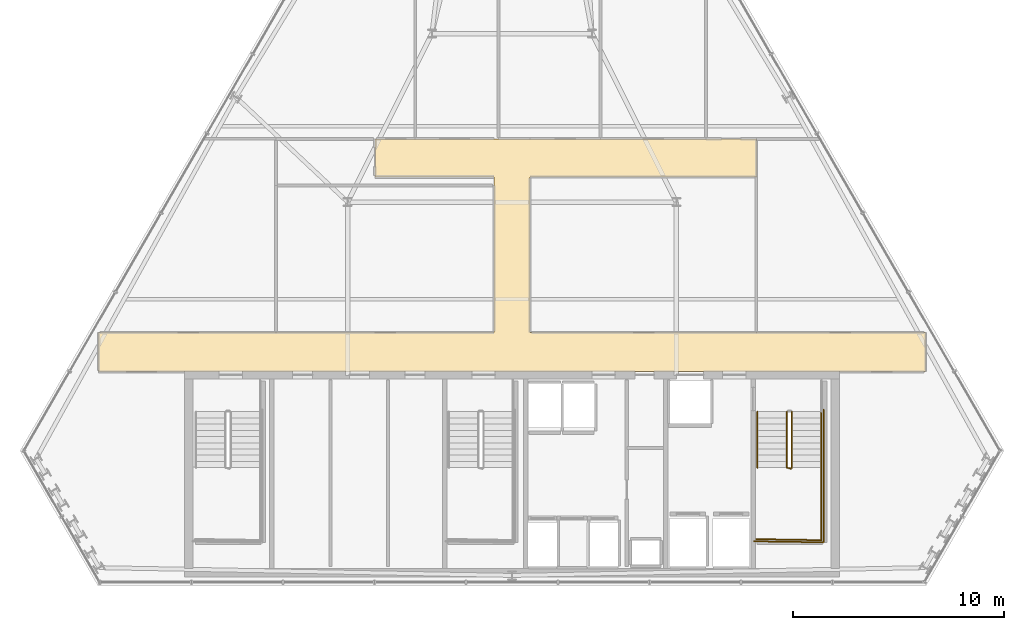
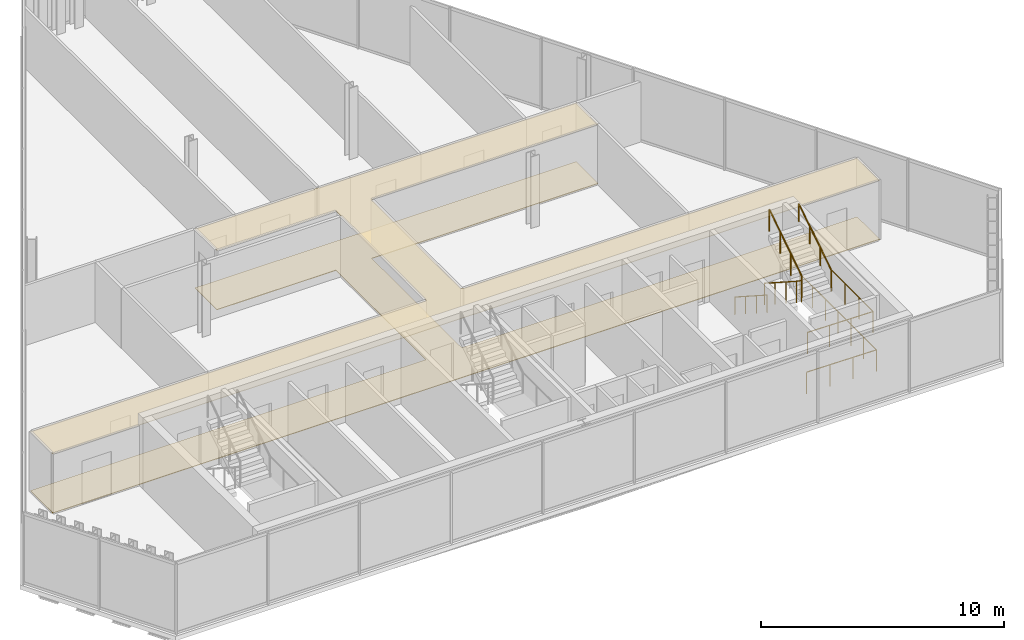
# One storey, part 28 of 29: 6 railings, 2 coverings.
"""IFC4 building model written with IfcOpenShell, lengths in metres."""

from ifc_helpers import new_model, si_unit, direction, frame, origin, origin_2d, place, context, subcontext, project, spatial, polyline, circle, outline, extrude, material, layer, layer_set, type_object, element, save


model = new_model("IFC4")

# Units and contexts
model_context = context("Model", 3, precision=1e-05, world=origin(), true_north=direction((0.0, 1.0)))
body_context = subcontext(model_context, "Body", "Model", "MODEL_VIEW")
ifc_project = project(units=[si_unit("LENGTHUNIT", "METRE"), si_unit("AREAUNIT", "SQUARE_METRE"), si_unit("VOLUMEUNIT", "CUBIC_METRE"), si_unit("PLANEANGLEUNIT", "RADIAN"), si_unit("MASSUNIT", "GRAM", prefix="KILO")], contexts=[model_context])

# Site, building, storey
site_placement = place(None, origin())
site = spatial("IfcSite", under=ifc_project, at=site_placement, CompositionType="ELEMENT")
building_placement = place(site_placement, origin())
building = spatial("IfcBuilding", under=site, at=building_placement, Name="Ndaravel Arena Tower", CompositionType="ELEMENT")
storey_placement = place(building_placement, frame((0.0, 0.0, 233.199951171875)))
storey = spatial("IfcBuildingStorey", under=building, at=storey_placement, Name="L56", CompositionType="ELEMENT", Elevation=233.199951171875)

# Coverings
ifc_material_1 = material(Name="Acoustic Ceiling Tile", Category="finish")
ifc_layer_1 = layer(ifc_material_1, 0.02490234375)
ifc_layer_set_1 = layer_set([ifc_layer_1], Name="Acoustic Ceiling Tile")
covering_type_1 = type_object("IfcCoveringType", Name="COV-CEIL-AC600", PredefinedType="CEILING", material=ifc_layer_set_1)
covering_1_placement = place(storey_placement, frame((0.0, 0.0, 2.98046875)))
element("IfcCovering", 1, at=covering_1_placement, inside=storey, type_object=covering_type_1, Name="L56 Corridor Acoustic Ceiling", PredefinedType="CEILING", context=body_context, shape_type="SweptSolid", body=[
    extrude(outline(polyline([(61.6220703125, 17.0), (42.85009765625, 17.0), (42.85009765625, 24.39990234375), (53.60009765625, 24.39990234375), (53.60009765625, 26.199951171875), (42.85009765625, 26.199951171875), (41.14990234375, 26.199951171875), (35.5, 26.199951171875), (35.5, 24.39990234375), (41.14990234375, 24.39990234375), (41.14990234375, 17.0), (22.3779296875, 17.0), (22.3779296875, 15.14990234375), (61.6220703125, 15.14990234375), (61.6220703125, 17.0)])), origin(), (0.0, 0.0, 1.0), 0.025146484375),
])
ifc_material_2 = material(Name="Terrazzo", Category="stone")
ifc_layer_2 = layer(ifc_material_2, 0.030029296875)
ifc_layer_set_2 = layer_set([ifc_layer_2], Name="Terrazzo")
covering_type_2 = type_object("IfcCoveringType", Name="COV-FLOOR-TERRAZZO", PredefinedType="FLOORING", material=ifc_layer_set_2)
covering_2_placement = place(storey_placement, origin())
element("IfcCovering", 2, at=covering_2_placement, inside=storey, type_object=covering_type_2, Name="L56 Corridor Terrazzo Flooring", PredefinedType="FLOORING", context=body_context, shape_type="SweptSolid", body=[
    extrude(outline(polyline([(61.6220703125, 17.0), (42.85009765625, 17.0), (42.85009765625, 24.39990234375), (53.60009765625, 24.39990234375), (53.60009765625, 26.199951171875), (42.85009765625, 26.199951171875), (41.14990234375, 26.199951171875), (35.5, 26.199951171875), (35.5, 24.39990234375), (41.14990234375, 24.39990234375), (41.14990234375, 17.0), (22.3779296875, 17.0), (22.3779296875, 15.14990234375), (61.6220703125, 15.14990234375), (61.6220703125, 17.0)])), origin(), (0.0, 0.0, 1.0), 0.030029296875),
])

# Railings
ifc_material_3 = material(Name="Steel S355", Category="steel")
ifc_layer_3 = layer(ifc_material_3, 0.06005859375)
ifc_layer_set_3 = layer_set([ifc_layer_3], Name="Steel S355")
railing_type_1 = type_object("IfcRailingType", Name="RAIL-STAIR-GD1100", PredefinedType="GUARDRAIL", material=ifc_layer_set_3)
railing_1_placement = place(storey_placement, frame((55.050048828125, 13.25, 0.18994140625)))
element("IfcRailing", 3, at=railing_1_placement, inside=storey, type_object=railing_type_1, Name="L56 ST-3 stair guard 1", PredefinedType="GUARDRAIL", context=body_context, shape_type="SweptSolid", body=[
    extrude(circle(Radius=0.02392578125, at=origin_2d()), frame((0.0, 0.0, 1.076171875), z_axis=(0.0, -0.840688348013, 0.541519253134), x_axis=(1.0, 0.0, 0.0)), (0.0, 0.0, 1.0), 3.158203125),
    extrude(circle(Radius=0.02392578125, at=origin_2d()), frame((0.0, -2.655029296875, 2.7861328125), z_axis=(0.966993988697, -0.254799187253, 0.0), x_axis=(0.254799187253, 0.966993988697, 0.0)), (0.0, 0.0, 1.0), 0.196533203125),
    extrude(circle(Radius=0.02099609375, at=origin_2d()), origin(), (0.0, 0.0, 1.0), 1.052001953125),
    extrude(circle(Radius=0.02099609375, at=origin_2d()), frame((0.0, -0.885009765625, 0.570068359375)), (0.0, 0.0, 1.0), 1.052001953125),
    extrude(circle(Radius=0.02099609375, at=origin_2d()), frame((0.0, -1.77001953125, 1.14013671875)), (0.0, 0.0, 1.0), 1.052001953125),
    extrude(circle(Radius=0.02099609375, at=origin_2d()), frame((0.0, -2.655029296875, 1.710205078125)), (0.0, 0.0, 1.0), 1.052001953125),
    extrude(circle(Radius=0.02099609375, at=origin_2d()), frame((0.18994140625, -2.705078125, 1.710205078125)), (0.0, 0.0, 1.0), 1.052001953125),
])
railing_2_placement = place(storey_placement, frame((56.68994140625, 10.594970703125, 1.900146484375)))
element("IfcRailing", 4, at=railing_2_placement, inside=storey, type_object=railing_type_1, Name="L56 ST-3 stair guard 2", PredefinedType="GUARDRAIL", context=body_context, shape_type="SweptSolid", body=[
    extrude(circle(Radius=0.02392578125, at=origin_2d()), frame((0.0, 0.0, 1.076171875), z_axis=(0.0, -1.0, 0.0), x_axis=(1.0, 0.0, 0.0)), (0.0, 0.0, 1.0), 3.445068359375),
    extrude(circle(Radius=0.02392578125, at=origin_2d()), frame((0.0, -3.445068359375, 1.076171875), z_axis=(-0.999868840623, 0.016195726322, 0.0), x_axis=(-0.016195726322, -0.999868840623, 0.0)), (0.0, 0.0, 1.0), 3.09033203125),
    extrude(circle(Radius=0.02099609375, at=origin_2d()), origin(), (0.0, 0.0, 1.0), 1.052001953125),
    extrude(circle(Radius=0.02099609375, at=origin_2d()), frame((0.0, -1.1484375, 0.0)), (0.0, 0.0, 1.0), 1.052001953125),
    extrude(circle(Radius=0.02099609375, at=origin_2d()), frame((0.0, -2.296630859375, 0.0)), (0.0, 0.0, 1.0), 1.052001953125),
    extrude(circle(Radius=0.02099609375, at=origin_2d()), frame((0.0, -3.445068359375, 0.0)), (0.0, 0.0, 1.0), 1.052001953125),
    extrude(circle(Radius=0.02099609375, at=origin_2d()), frame((-1.030029296875, -3.428466796875, 0.0)), (0.0, 0.0, 1.0), 1.052001953125),
    extrude(circle(Radius=0.02099609375, at=origin_2d()), frame((-2.059814453125, -3.41162109375, 0.0)), (0.0, 0.0, 1.0), 1.052001953125),
    extrude(circle(Radius=0.02099609375, at=origin_2d()), frame((-3.08984375, -3.39501953125, 0.0)), (0.0, 0.0, 1.0), 1.052001953125),
])
railing_3_placement = place(storey_placement, frame((55.2900390625, 10.594970703125, 2.090087890625)))
element("IfcRailing", 5, at=railing_3_placement, inside=storey, type_object=railing_type_1, Name="L56 ST-3 stair guard 3", PredefinedType="GUARDRAIL", context=body_context, shape_type="SweptSolid", body=[
    extrude(circle(Radius=0.02392578125, at=origin_2d()), frame((0.0, 0.0, 1.076171875), z_axis=(0.0, 0.840723540582, 0.54146461409), x_axis=(-1.0, 0.0, 0.0)), (0.0, 0.0, 1.0), 3.157958984375),
    extrude(circle(Radius=0.02099609375, at=origin_2d()), origin(), (0.0, 0.0, 1.0), 1.052001953125),
    extrude(circle(Radius=0.02099609375, at=origin_2d()), frame((0.0, 0.885009765625, 0.570068359375)), (0.0, 0.0, 1.0), 1.052001953125),
    extrude(circle(Radius=0.02099609375, at=origin_2d()), frame((0.0, 1.77001953125, 1.139892578125)), (0.0, 0.0, 1.0), 1.052001953125),
    extrude(circle(Radius=0.02099609375, at=origin_2d()), frame((0.0, 2.655029296875, 1.7099609375)), (0.0, 0.0, 1.0), 1.052001953125),
])
railing_4_placement = place(storey_placement, frame((56.7900390625, 13.35009765625, 0.0)))
element("IfcRailing", 6, at=railing_4_placement, inside=storey, type_object=railing_type_1, Name="L56 ST-3 stair guard 6", PredefinedType="GUARDRAIL", context=body_context, shape_type="SweptSolid", body=[
    extrude(circle(Radius=0.02392578125, at=origin_2d()), frame((0.0, 0.0, 1.076171875), z_axis=(0.0, -1.0, 0.0), x_axis=(1.0, 0.0, 0.0)), (0.0, 0.0, 1.0), 6.300048828125),
    extrude(circle(Radius=0.02392578125, at=origin_2d()), frame((0.0, -6.300048828125, 1.076171875), z_axis=(-0.99988431412, 0.015210469308, 0.0), x_axis=(-0.015210469308, -0.99988431412, 0.0)), (0.0, 0.0, 1.0), 3.29052734375),
    extrude(circle(Radius=0.02099609375, at=origin_2d()), origin(), (0.0, 0.0, 1.0), 1.052001953125),
    extrude(circle(Radius=0.02099609375, at=origin_2d()), frame((0.0, -1.050048828125, 0.0)), (0.0, 0.0, 1.0), 1.052001953125),
    extrude(circle(Radius=0.02099609375, at=origin_2d()), frame((0.0, -2.10009765625, 0.0)), (0.0, 0.0, 1.0), 1.052001953125),
    extrude(circle(Radius=0.02099609375, at=origin_2d()), frame((0.0, -3.14990234375, 0.0)), (0.0, 0.0, 1.0), 1.052001953125),
    extrude(circle(Radius=0.02099609375, at=origin_2d()), frame((0.0, -4.199951171875, 0.0)), (0.0, 0.0, 1.0), 1.052001953125),
    extrude(circle(Radius=0.02099609375, at=origin_2d()), frame((0.0, -5.25, 0.0)), (0.0, 0.0, 1.0), 1.052001953125),
    extrude(circle(Radius=0.02099609375, at=origin_2d()), frame((0.0, -6.300048828125, 0.0)), (0.0, 0.0, 1.0), 1.052001953125),
    extrude(circle(Radius=0.02099609375, at=origin_2d()), frame((-1.0966796875, -6.283447265625, 0.0)), (0.0, 0.0, 1.0), 1.052001953125),
    extrude(circle(Radius=0.02099609375, at=origin_2d()), frame((-2.193359375, -6.2666015625, 0.0)), (0.0, 0.0, 1.0), 1.052001953125),
    extrude(circle(Radius=0.02099609375, at=origin_2d()), frame((-3.2900390625, -6.25, 0.0)), (0.0, 0.0, 1.0), 1.052001953125),
])
ifc_material_4 = material(Name="Steel S355", Category="steel")
ifc_layer_4 = layer(ifc_material_4, 0.050048828125)
ifc_layer_set_4 = layer_set([ifc_layer_4], Name="Steel S355")
railing_type_2 = type_object("IfcRailingType", Name="RAIL-STAIR-HR920", PredefinedType="HANDRAIL", material=ifc_layer_set_4)
railing_5_placement = place(storey_placement, frame((53.64990234375, 13.25, 0.18994140625)))
element("IfcRailing", 7, at=railing_5_placement, inside=storey, type_object=railing_type_2, Name="L56 ST-3 stair handrail 1", PredefinedType="HANDRAIL", context=body_context, shape_type="SweptSolid", body=[
    extrude(circle(Radius=0.02392578125, at=origin_2d()), frame((0.0, 0.0, 0.8759765625), z_axis=(0.0, -0.840688348013, 0.541519253134), x_axis=(1.0, 0.0, 0.0)), (0.0, 0.0, 1.0), 3.158203125),
    extrude(circle(Radius=0.02099609375, at=origin_2d()), origin(), (0.0, 0.0, 1.0), 0.851806640625),
    extrude(circle(Radius=0.02099609375, at=origin_2d()), frame((0.0, -0.885009765625, 0.570068359375)), (0.0, 0.0, 1.0), 0.851806640625),
    extrude(circle(Radius=0.02099609375, at=origin_2d()), frame((0.0, -1.77001953125, 1.14013671875)), (0.0, 0.0, 1.0), 0.851806640625),
    extrude(circle(Radius=0.02099609375, at=origin_2d()), frame((0.0, -2.655029296875, 1.710205078125)), (0.0, 0.0, 1.0), 0.851806640625),
])
railing_6_placement = place(storey_placement, frame((56.68994140625, 10.594970703125, 2.090087890625)))
element("IfcRailing", 8, at=railing_6_placement, inside=storey, type_object=railing_type_2, Name="L56 ST-3 stair handrail 2", PredefinedType="HANDRAIL", context=body_context, shape_type="SweptSolid", body=[
    extrude(circle(Radius=0.02392578125, at=origin_2d()), frame((0.0, 0.0, 0.8759765625), z_axis=(0.0, 0.840723540582, 0.54146461409), x_axis=(-1.0, 0.0, 0.0)), (0.0, 0.0, 1.0), 3.157958984375),
    extrude(circle(Radius=0.02099609375, at=origin_2d()), origin(), (0.0, 0.0, 1.0), 0.851806640625),
    extrude(circle(Radius=0.02099609375, at=origin_2d()), frame((0.0, 0.885009765625, 0.570068359375)), (0.0, 0.0, 1.0), 0.851806640625),
    extrude(circle(Radius=0.02099609375, at=origin_2d()), frame((0.0, 1.77001953125, 1.139892578125)), (0.0, 0.0, 1.0), 0.851806640625),
    extrude(circle(Radius=0.02099609375, at=origin_2d()), frame((0.0, 2.655029296875, 1.7099609375)), (0.0, 0.0, 1.0), 0.851806640625),
])

save(model, "model.ifc")
